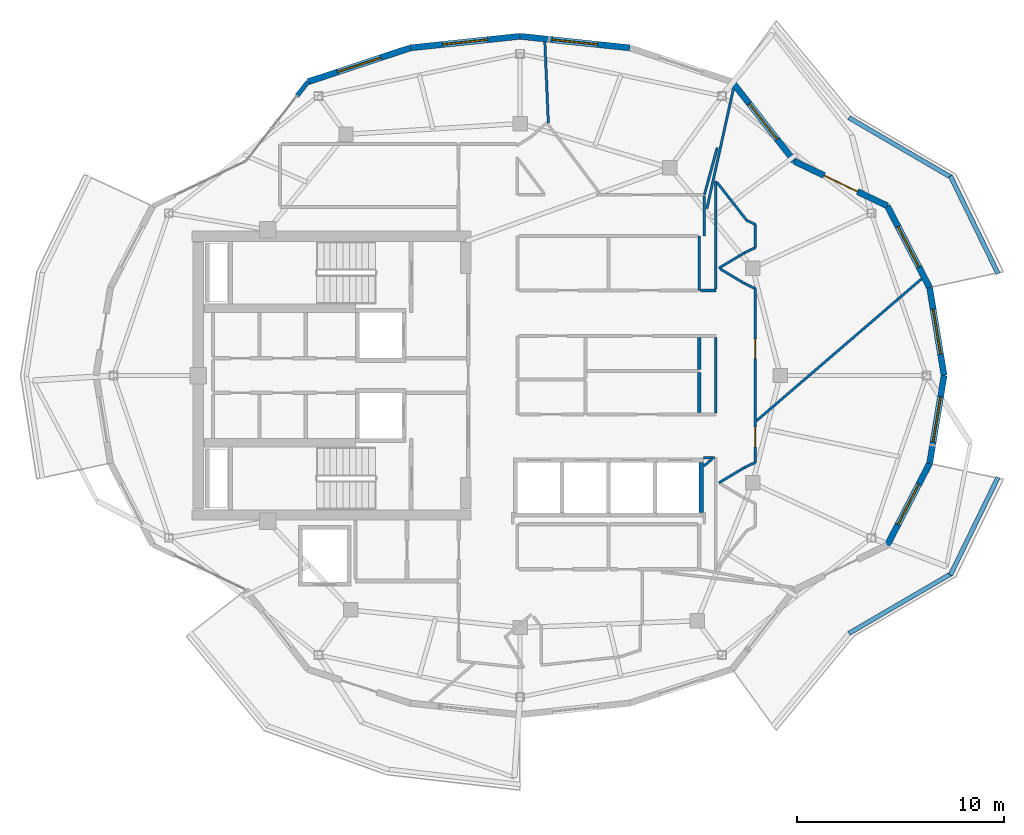
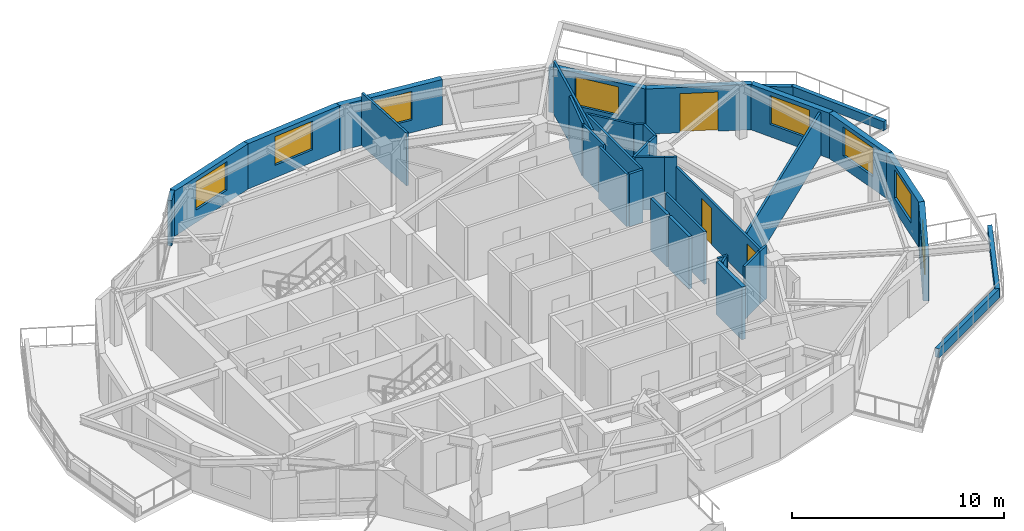
# One storey, part 11 of 14: 38 walls, 8 windows, 3 doors, 11 openings.
"""IFC4 building model written with IfcOpenShell, lengths in metres."""

from ifc_helpers import new_model, si_unit, direction, frame, frame_2d, origin, place, context, subcontext, project, spatial, rectangle, extrude, material, layer, layer_set, type_object, element, fill, save


model = new_model("IFC4")

# Units and contexts
model_context = context("Model", 3, precision=1e-05, world=origin(), true_north=direction((0.0, 1.0)))
body_context = subcontext(model_context, "Body", "Model", "MODEL_VIEW")
ifc_project = project(units=[si_unit("LENGTHUNIT", "METRE"), si_unit("AREAUNIT", "SQUARE_METRE"), si_unit("VOLUMEUNIT", "CUBIC_METRE"), si_unit("PLANEANGLEUNIT", "RADIAN"), si_unit("MASSUNIT", "GRAM", prefix="KILO")], contexts=[model_context])

# Site, building, storey
site_placement = place(None, origin())
site = spatial("IfcSite", under=ifc_project, at=site_placement, CompositionType="ELEMENT")
building_placement = place(site_placement, origin())
building = spatial("IfcBuilding", under=site, at=building_placement, Name="Kolvaren Gate Tower and Convention Centre", CompositionType="ELEMENT")
storey_placement = place(building_placement, frame((0.0, 0.0, 259.10009765625)))
storey = spatial("IfcBuildingStorey", under=building, at=storey_placement, Name="L70", CompositionType="ELEMENT", Elevation=259.10009765625)

# Walls
ifc_material_1 = material(Name="Fire-Rated Acoustic Gypsum Stud Partition", Category="gypsum")
ifc_layer_1 = layer(ifc_material_1, 0.1201171875)
ifc_layer_set_1 = layer_set([ifc_layer_1], Name="Fire-Rated Acoustic Gypsum Stud Partition")
wall_type_1 = type_object("IfcWallType", Name="ARCH-WL-PART-120", PredefinedType="PARTITIONING", material=ifc_layer_set_1)
wall_1_placement = place(storey_placement, frame((38.800048828125, 31.1201171875, 0.0), z_axis=(0.0, 0.0, 1.0), x_axis=(0.0, 1.0, 0.0)))
element("IfcWall", 1, at=wall_1_placement, inside=storey, type_object=wall_type_1, Name="Interior Partition WL-L70-INT-027", PredefinedType="PARTITIONING", context=body_context, shape_type="SweptSolid", body=[
    extrude(rectangle(XDim=2.6298828125, YDim=0.1201171875, at=frame_2d((1.31494140625, 0.0))), origin(), (0.0, 0.0, 1.0), 3.02978515625),
])
wall_2_placement = place(storey_placement, frame((39.050048828125, 33.75, 0.0), z_axis=(0.0, 0.0, 1.0), x_axis=(0.0, 1.0, 0.0)))
element("IfcWall", 2, at=wall_2_placement, inside=storey, type_object=wall_type_1, Name="Interior Partition WL-L70-INT-043", PredefinedType="PARTITIONING", context=body_context, shape_type="SweptSolid", body=[
    extrude(rectangle(XDim=1.93798828125, YDim=0.1201171875, at=frame_2d((0.968994140625, 0.0))), origin(), (0.0, 0.0, 1.0), 3.02978515625),
])
wall_3_placement = place(storey_placement, frame((39.60009765625, 25.197021484375, 0.0), z_axis=(0.0, 0.0, 1.0), x_axis=(0.0, 1.0, 0.0)))
element("IfcWall", 3, at=wall_3_placement, inside=storey, type_object=wall_type_1, Name="Interior Partition WL-L70-INT-045", PredefinedType="PARTITIONING", context=body_context, shape_type="SweptSolid", body=[
    extrude(rectangle(XDim=3.64599609375, YDim=0.1201171875, at=frame_2d((1.822998046875, 0.0))), origin(), (0.0, 0.0, 1.0), 3.02978515625),
])
wall_4_placement = place(storey_placement, frame((39.60009765625, 31.197021484375, 0.0), z_axis=(0.0, 0.0, 1.0), x_axis=(0.0, 1.0, 0.0)))
element("IfcWall", 4, at=wall_4_placement, inside=storey, type_object=wall_type_1, Name="Interior Partition WL-L70-INT-046", PredefinedType="PARTITIONING", context=body_context, shape_type="SweptSolid", body=[
    extrude(rectangle(XDim=5.22998046875, YDim=0.1201171875, at=frame_2d((2.614990234375, 0.0))), origin(), (0.0, 0.0, 1.0), 3.02978515625),
])
wall_5_placement = place(storey_placement, frame((39.662109375, 36.347900390625, 0.0), z_axis=(0.0, 0.0, 1.0), x_axis=(0.616212345115, -0.78758005671, 0.0)))
element("IfcWall", 5, at=wall_5_placement, inside=storey, type_object=wall_type_1, Name="Interior Partition WL-L70-INT-047", PredefinedType="PARTITIONING", context=body_context, shape_type="SweptSolid", body=[
    extrude(rectangle(XDim=2.33349609375, YDim=0.1201171875, at=frame_2d((1.166748046875, 0.0))), origin(), (0.0, 0.0, 1.0), 3.02978515625),
])
wall_6_placement = place(storey_placement, frame((41.10009765625, 34.510009765625, 0.0), z_axis=(0.0, 0.0, 1.0), x_axis=(0.902054328377, -0.431622507125, 0.0)))
element("IfcWall", 6, at=wall_6_placement, inside=storey, type_object=wall_type_1, Name="Interior Partition WL-L70-INT-048", PredefinedType="PARTITIONING", context=body_context, shape_type="SweptSolid", body=[
    extrude(rectangle(XDim=0.465576171875, YDim=0.1201171875, at=frame_2d((0.23291015625, 0.0))), origin(), (0.0, 0.0, 1.0), 3.02978515625),
])

# Wall, openings, doors
wall_7_placement = place(storey_placement, frame((41.52001953125, 22.7939453125, 0.0), z_axis=(0.0, 0.0, 1.0), x_axis=(0.0, 1.0, 0.0)))
wall_7 = element("IfcWall", 7, at=wall_7_placement, inside=storey, type_object=wall_type_1, Name="Interior Partition WL-L70-INT-050", PredefinedType="PARTITIONING", context=body_context, shape_type="SweptSolid", body=[
    extrude(rectangle(XDim=8.412109375, YDim=0.1201171875, at=frame_2d((4.2060546875, 0.0))), origin(), (0.0, 0.0, 1.0), 2.477783203125),
])
opening_1_placement = place(wall_7_placement, frame((0.751708984375, 0.0, 0.0)))
opening_1 = element("IfcOpeningElement", 8, at=opening_1_placement, cuts=wall_7, Name="Opening DR-01", PredefinedType="OPENING", context=body_context, shape_type="SweptSolid", body=[
    extrude(rectangle(XDim=0.949951171875, YDim=2.10009765625, at=frame_2d((0.47509765625, 1.050048828125))), frame((0.0, 0.070068359375, 0.0), z_axis=(0.0, -1.0, 0.0), x_axis=(1.0, 0.0, 0.0)), (0.0, 0.0, 1.0), 0.14013671875),
])
opening_2_placement = place(wall_7_placement, frame((5.03125, 0.0, 0.0)))
opening_2 = element("IfcOpeningElement", 9, at=opening_2_placement, cuts=wall_7, Name="Opening DR-01", PredefinedType="OPENING", context=body_context, shape_type="SweptSolid", body=[
    extrude(rectangle(XDim=0.949951171875, YDim=2.10009765625, at=frame_2d((0.47509765625, 1.050048828125))), frame((0.0, 0.070068359375, 0.0), z_axis=(0.0, -1.0, 0.0), x_axis=(1.0, 0.0, 0.0)), (0.0, 0.0, 1.0), 0.14013671875),
])
ifc_material_2 = material(Name="Painted Architectural Steelwork ASTM A500 Grade C 345 MPa", Category="steel")
door_type_1 = type_object("IfcDoorType", Name="ARCH-DR-RISER-950", OperationType="SINGLE_SWING_RIGHT", PredefinedType="DOOR", material=ifc_material_2)
door_1_placement = place(opening_1_placement, origin())
door_1 = element("IfcDoor", 10, at=door_1_placement, inside=storey, type_object=door_type_1, Name="Resident Quiet Study Office Door", OperationType="SINGLE_SWING_LEFT", OverallHeight=2.10009765625, OverallWidth=0.949951171875, PredefinedType="DOOR", context=body_context, shape_type="SweptSolid", body=[
    extrude(rectangle(XDim=0.949951171875, YDim=2.10009765625, at=frame_2d((0.47509765625, 1.050048828125))), frame((0.0, 0.02490234375, 0.0), z_axis=(0.0, -1.0, 0.0), x_axis=(1.0, 0.0, 0.0)), (0.0, 0.0, 1.0), 0.050048828125),
])
fill(opening_1, door_1)
door_2_placement = place(opening_2_placement, origin())
door_2 = element("IfcDoor", 11, at=door_2_placement, inside=storey, type_object=door_type_1, Name="Resident Private Study Door", OperationType="SINGLE_SWING_RIGHT", OverallHeight=2.10009765625, OverallWidth=0.949951171875, PredefinedType="DOOR", context=body_context, shape_type="SweptSolid", body=[
    extrude(rectangle(XDim=0.949951171875, YDim=2.10009765625, at=frame_2d((0.47509765625, 1.050048828125))), frame((0.0, 0.02490234375, 0.0), z_axis=(0.0, -1.0, 0.0), x_axis=(1.0, 0.0, 0.0)), (0.0, 0.0, 1.0), 0.050048828125),
])
fill(opening_2, door_2)

# Walls
wall_8_placement = place(storey_placement, frame((41.52001953125, 33.193115234375, 0.0), z_axis=(0.0, 0.0, 1.0), x_axis=(0.0, 1.0, 0.0)))
element("IfcWall", 12, at=wall_8_placement, inside=storey, type_object=wall_type_1, Name="Interior Partition WL-L70-INT-051", PredefinedType="PARTITIONING", context=body_context, shape_type="SweptSolid", body=[
    extrude(rectangle(XDim=1.115966796875, YDim=0.1201171875, at=frame_2d((0.55810546875, 0.0))), origin(), (0.0, 0.0, 1.0), 3.02978515625),
])
wall_9_placement = place(storey_placement, frame((40.986083984375, 32.93994140625, 0.0), z_axis=(0.0, 0.0, 1.0), x_axis=(0.90356951601, 0.428441512621, 0.0)))
element("IfcWall", 13, at=wall_9_placement, inside=storey, type_object=wall_type_1, Name="Interior Partition WL-L70-INT-052", PredefinedType="PARTITIONING", context=body_context, shape_type="SweptSolid", body=[
    extrude(rectangle(XDim=0.5908203125, YDim=0.1201171875, at=frame_2d((0.29541015625, 0.0))), origin(), (0.0, 0.0, 1.0), 3.02978515625),
])
wall_10_placement = place(storey_placement, frame((39.75, 32.198974609375, 0.0), z_axis=(0.0, 0.0, 1.0), x_axis=(0.857702120906, 0.514146935996, 0.0)))
element("IfcWall", 14, at=wall_10_placement, inside=storey, type_object=wall_type_1, Name="Interior Partition WL-L70-INT-053", PredefinedType="PARTITIONING", context=body_context, shape_type="SweptSolid", body=[
    extrude(rectangle(XDim=1.441162109375, YDim=0.1201171875, at=frame_2d((0.720703125, 0.0))), origin(), (0.0, 0.0, 1.0), 3.02978515625),
])
wall_11_placement = place(storey_placement, frame((39.810302734375, 32.162841796875, 0.0), z_axis=(0.0, 0.0, 1.0), x_axis=(0.858011245414, -0.513630901273, 0.0)))
element("IfcWall", 15, at=wall_11_placement, inside=storey, type_object=wall_type_1, Name="Interior Partition WL-L70-INT-054", PredefinedType="PARTITIONING", context=body_context, shape_type="SweptSolid", body=[
    extrude(rectangle(XDim=1.370361328125, YDim=0.1201171875, at=frame_2d((0.68505859375, 0.0))), origin(), (0.0, 0.0, 1.0), 3.02978515625),
])
for number, where, z_axis, x_axis, name in (
    (16, (40.986083984375, 31.458984375, 0.0), (0.0, 0.0, 1.0), (0.903729424576, -0.428104107847, 0.0), "Interior Partition WL-L70-INT-055"),
    (17, (40.986083984375, 22.541015625, 0.0), (0.0, 0.0, 1.0), (0.903729424576, 0.428104107847, 0.0), "Interior Partition WL-L70-INT-056"),
):
    element("IfcWall", number, at=place(storey_placement, frame(where, z_axis=z_axis, x_axis=x_axis)), inside=storey, type_object=wall_type_1, Name=name, PredefinedType="PARTITIONING", context=body_context, shape_type="SweptSolid", body=[
        extrude(rectangle(XDim=0.5908203125, YDim=0.1201171875, at=frame_2d((0.29541015625, 0.0))), origin(), (0.0, 0.0, 1.0), 3.02978515625),
    ])
wall_12_placement = place(storey_placement, frame((39.75, 21.800048828125, 0.0), z_axis=(0.0, 0.0, 1.0), x_axis=(0.857702120906, 0.514146935996, 0.0)))
element("IfcWall", 18, at=wall_12_placement, inside=storey, type_object=wall_type_1, Name="Interior Partition WL-L70-INT-057", PredefinedType="PARTITIONING", context=body_context, shape_type="SweptSolid", body=[
    extrude(rectangle(XDim=1.441162109375, YDim=0.1201171875, at=frame_2d((0.720703125, 0.0))), origin(), (0.0, 0.0, 1.0), 3.02978515625),
])
wall_13_placement = place(storey_placement, frame((39.0, 23.02001953125, 0.0), z_axis=(0.0, 0.0, 1.0), x_axis=(1.0, 0.0, 0.0)))
element("IfcWall", 19, at=wall_13_placement, inside=storey, type_object=wall_type_1, Name="Interior Partition WL-L70-INT-062", PredefinedType="PARTITIONING", context=body_context, shape_type="SweptSolid", body=[
    extrude(rectangle(XDim=0.5380859375, YDim=0.1201171875, at=frame_2d((0.26904296875, 0.0))), origin(), (0.0, 0.0, 1.0), 3.02978515625),
])
wall_14_placement = place(storey_placement, frame((39.019775390625, 22.611083984375, 0.0), z_axis=(0.0, 0.0, 1.0), x_axis=(0.75812166899, 0.652113130529, 0.0)))
element("IfcWall", 20, at=wall_14_placement, inside=storey, type_object=wall_type_1, Name="Interior Partition WL-L70-INT-075", PredefinedType="PARTITIONING", context=body_context, shape_type="SweptSolid", body=[
    extrude(rectangle(XDim=0.531982421875, YDim=0.1201171875, at=frame_2d((0.26611328125, 0.0))), origin(), (0.0, 0.0, 1.0), 3.02978515625),
])
wall_15_placement = place(storey_placement, frame((41.58203125, 24.814453125, 0.0), z_axis=(0.0, 0.0, 1.0), x_axis=(0.758204685581, 0.652016606202, 0.0)))
element("IfcWall", 21, at=wall_15_placement, inside=storey, type_object=wall_type_1, Name="Interior Partition WL-L70-INT-076", PredefinedType="PARTITIONING", context=body_context, shape_type="SweptSolid", body=[
    extrude(rectangle(XDim=10.52783203125, YDim=0.1201171875, at=frame_2d((5.263916015625, 0.0))), origin(), (0.0, 0.0, 1.0), 2.477783203125),
])
wall_16_placement = place(storey_placement, frame((39.172119140625, 35.08349609375, 0.0), z_axis=(0.0, 0.0, 1.0), x_axis=(0.216048361883, 0.976382663369, 0.0)))
element("IfcWall", 22, at=wall_16_placement, inside=storey, type_object=wall_type_1, Name="Interior Partition WL-L70-INT-079", PredefinedType="PARTITIONING", context=body_context, shape_type="SweptSolid", body=[
    extrude(rectangle(XDim=5.94970703125, YDim=0.1201171875, at=frame_2d((2.974853515625, 0.0))), origin(), (0.0, 0.0, 1.0), 3.02978515625),
])
wall_17_placement = place(storey_placement, frame((39.050048828125, 35.75, 0.0), z_axis=(0.0, 0.0, 1.0), x_axis=(0.262548848822, 0.964918702266, 0.0)))
element("IfcWall", 23, at=wall_17_placement, inside=storey, type_object=wall_type_1, Name="Interior Partition WL-L70-INT-080", PredefinedType="PARTITIONING", context=body_context, shape_type="SweptSolid", body=[
    extrude(rectangle(XDim=2.36181640625, YDim=0.1201171875, at=frame_2d((1.180908203125, 0.0))), origin(), (0.0, 0.0, 1.0), 3.02978515625),
])
wall_18_placement = place(storey_placement, frame((31.326171875, 43.145751953125, 0.0), z_axis=(0.0, 0.0, 1.0), x_axis=(0.042550336493, -0.999094324308, 0.0)))
element("IfcWall", 24, at=wall_18_placement, inside=storey, type_object=wall_type_1, Name="Interior Partition WL-L70-INT-081", PredefinedType="PARTITIONING", context=body_context, shape_type="SweptSolid", body=[
    extrude(rectangle(XDim=3.930419921875, YDim=0.1201171875, at=frame_2d((1.96533203125, 0.0))), origin(), (0.0, 0.0, 1.0), 3.02978515625),
])
ifc_material_3 = material(Name="Bogota Sabana Bush-Hammered Sandstone Cladding", Category="masonry")
ifc_layer_2 = layer(ifc_material_3, 0.219970703125)
ifc_layer_set_2 = layer_set([ifc_layer_2], Name="Bogota Sabana Bush-Hammered Sandstone Cladding")
wall_type_2 = type_object("IfcWallType", Name="ARCH-WL-PIER-220", PredefinedType="SOLIDWALL", material=ifc_layer_set_2)
wall_19_placement = place(storey_placement, frame((19.319091796875, 40.534423828125, 0.0), z_axis=(0.0, 0.0, 1.0), x_axis=(0.61640589237, 0.787428584604, 0.0)))
element("IfcWall", 25, at=wall_19_placement, inside=storey, type_object=wall_type_2, Name="Tower L70 Unitised Curtain Wall CW-RES-UNIT Bay 08 Right Column Pier Wrap", PredefinedType="SOLIDWALL", context=body_context, shape_type="SweptSolid", body=[
    extrude(rectangle(XDim=0.87646484375, YDim=0.219970703125, at=frame_2d((0.438232421875, 0.0))), origin(), (0.0, 0.0, 1.0), 2.60498046875),
])
ifc_material_4 = material(Name="Piedmont Cream Honed Limestone Cladding", Category="masonry")
ifc_layer_3 = layer(ifc_material_4, 0.219970703125)
ifc_layer_set_3 = layer_set([ifc_layer_3], Name="Piedmont Cream Honed Limestone Cladding")
wall_type_3 = type_object("IfcWallType", Name="ARCH-WL-PLANTER-220", PredefinedType="PARAPET", material=ifc_layer_set_3)
wall_20_placement = place(storey_placement, frame((50.96240234375, 36.658935546875, 0.0), z_axis=(0.0, 0.0, 1.0), x_axis=(0.438469339137, -0.898746148051, 0.0)))
element("IfcWall", 26, at=wall_20_placement, inside=storey, type_object=wall_type_3, Name="Vertical-Forest Balcony Stone Planter Kerb PK-L70-1.1", PredefinedType="PARAPET", context=body_context, shape_type="SweptSolid", body=[
    extrude(rectangle(XDim=5.26171875, YDim=0.219970703125, at=frame_2d((2.630859375, 0.0))), origin(), (0.0, 0.0, 1.0), 0.52001953125),
])
for number, where, z_axis, x_axis, name in (
    (27, (46.0478515625, 39.484619140625, 0.0), (0.0, 0.0, 1.0), (0.863803671285, -0.503828559606, 0.0), "Vertical-Forest Balcony Stone Planter Kerb PK-L70-1.2"),
    (28, (46.0478515625, 14.515380859375, 0.0), (0.0, 0.0, 1.0), (0.863803671285, 0.503828559606, 0.0), "Vertical-Forest Balcony Stone Planter Kerb PK-L70-4.2"),
):
    element("IfcWall", number, at=place(storey_placement, frame(where, z_axis=z_axis, x_axis=x_axis)), inside=storey, type_object=wall_type_3, Name=name, PredefinedType="PARAPET", context=body_context, shape_type="SweptSolid", body=[
        extrude(rectangle(XDim=5.719482421875, YDim=0.219970703125, at=frame_2d((2.85986328125, 0.0))), origin(), (0.0, 0.0, 1.0), 0.52001953125),
    ])
wall_21_placement = place(storey_placement, frame((50.96240234375, 17.341064453125, 0.0), z_axis=(0.0, 0.0, 1.0), x_axis=(0.438469339137, 0.898746148051, 0.0)))
element("IfcWall", 29, at=wall_21_placement, inside=storey, type_object=wall_type_3, Name="Vertical-Forest Balcony Stone Planter Kerb PK-L70-4.3", PredefinedType="PARAPET", context=body_context, shape_type="SweptSolid", body=[
    extrude(rectangle(XDim=5.26171875, YDim=0.219970703125, at=frame_2d((2.630859375, 0.0))), origin(), (0.0, 0.0, 1.0), 0.52001953125),
])
ifc_material_5 = material(Name="Autoclaved Aerated Masonry Blockwork Class 4 (4.0 MPa)", Category="masonry")
ifc_layer_4 = layer(ifc_material_5, 0.199951171875)
ifc_layer_set_4 = layer_set([ifc_layer_4], Name="Autoclaved Aerated Masonry Blockwork Class 4 (4.0 MPa)")
wall_type_4 = type_object("IfcWallType", Name="ARCH-WL-SHAFT-200", PredefinedType="SOLIDWALL", material=ifc_layer_set_4)
wall_22_placement = place(storey_placement, frame((38.89990234375, 20.360107421875, 0.0), z_axis=(0.0, 0.0, 1.0), x_axis=(0.0, 1.0, 0.0)))
element("IfcWall", 30, at=wall_22_placement, inside=storey, type_object=wall_type_4, Name="Elevator PL-12 L70 Fire Shaft Wall E", PredefinedType="SOLIDWALL", context=body_context, shape_type="SweptSolid", body=[
    extrude(rectangle(XDim=2.429931640625, YDim=0.199951171875, at=frame_2d((1.21484375, 0.0))), origin(), (0.0, 0.0, 1.0), 3.02978515625),
])

# Wall, opening, window
ifc_layer_5 = layer(ifc_material_4, 0.300048828125)
ifc_layer_set_5 = layer_set([ifc_layer_5], Name="Piedmont Cream Honed Limestone Cladding")
wall_type_5 = type_object("IfcWallType", Name="ARCH-WL-STONE-300", PredefinedType="SOLIDWALL", material=ifc_layer_set_5)
wall_23_placement = place(storey_placement, frame((49.95654296875, 31.251220703125, 0.0), z_axis=(0.0, 0.0, 1.0), x_axis=(0.162404622434, -0.98672424649, 0.0)))
wall_23 = element("IfcWall", 31, at=wall_23_placement, inside=storey, type_object=wall_type_5, Name="Tower L70 Honed Stone Spandrel Wall EW-00", PredefinedType="SOLIDWALL", context=body_context, shape_type="SweptSolid", body=[
    extrude(rectangle(XDim=4.308349609375, YDim=0.300048828125, at=frame_2d((2.154296875, 0.0))), origin(), (0.0, 0.0, 1.0), 2.60498046875),
])
opening_3_placement = place(wall_23_placement, frame((1.053955078125, 0.0, 0.719970703125)))
opening_3 = element("IfcOpeningElement", 32, at=opening_3_placement, cuts=wall_23, Name="Opening W-03", PredefinedType="OPENING", context=body_context, shape_type="SweptSolid", body=[
    extrude(rectangle(XDim=2.199951171875, YDim=1.64990234375, at=frame_2d((1.10009765625, 0.824951171875))), frame((0.0, 0.159912109375, 0.0), z_axis=(0.0, -1.0, 0.0), x_axis=(1.0, 0.0, 0.0)), (0.0, 0.0, 1.0), 0.320068359375),
])
ifc_material_6 = material(Name="Low-E Triple Insulated Glazing Unit 44 mm", Category="glass")
window_type = type_object("IfcWindowType", Name="ARCH-WN-RES-2200", PartitioningType="SINGLE_PANEL", PredefinedType="WINDOW", material=ifc_material_6)
window_1_placement = place(opening_3_placement, origin())
window_1 = element("IfcWindow", 33, at=window_1_placement, inside=storey, type_object=window_type, Name="Tower L70 Punched Stone Facade Window W-00", OverallHeight=1.64990234375, OverallWidth=2.199951171875, PartitioningType="SINGLE_PANEL", PredefinedType="WINDOW", context=body_context, shape_type="SweptSolid", body=[
    extrude(rectangle(XDim=2.199951171875, YDim=1.64990234375, at=frame_2d((1.10009765625, 0.824951171875))), frame((0.0, 0.030029296875, 0.0), z_axis=(0.0, -1.0, 0.0), x_axis=(1.0, 0.0, 0.0)), (0.0, 0.0, 1.0), 0.06005859375),
])
fill(opening_3, window_1)

wall_24_placement = place(storey_placement, frame((47.905517578125, 35.21240234375, 0.0), z_axis=(0.0, 0.0, 1.0), x_axis=(0.459801070243, -0.888021945564, 0.0)))
wall_24 = element("IfcWall", 34, at=wall_24_placement, inside=storey, type_object=wall_type_5, Name="Tower L70 Honed Stone Spandrel Wall EW-01", PredefinedType="SOLIDWALL", context=body_context, shape_type="SweptSolid", body=[
    extrude(rectangle(XDim=4.460693359375, YDim=0.300048828125, at=frame_2d((2.23046875, 0.0))), origin(), (0.0, 0.0, 1.0), 2.60498046875),
])
opening_4_placement = place(wall_24_placement, frame((1.1298828125, 0.0, 0.719970703125)))
opening_4 = element("IfcOpeningElement", 35, at=opening_4_placement, cuts=wall_24, Name="Opening W-03", PredefinedType="OPENING", context=body_context, shape_type="SweptSolid", body=[
    extrude(rectangle(XDim=2.199951171875, YDim=1.64990234375, at=frame_2d((1.10009765625, 0.824951171875))), frame((0.0, 0.159912109375, 0.0), z_axis=(0.0, -1.0, 0.0), x_axis=(1.0, 0.0, 0.0)), (0.0, 0.0, 1.0), 0.320068359375),
])
window_2_placement = place(opening_4_placement, origin())
window_2 = element("IfcWindow", 36, at=window_2_placement, inside=storey, type_object=window_type, Name="Tower L70 Punched Stone Facade Window W-01", OverallHeight=1.64990234375, OverallWidth=2.199951171875, PartitioningType="SINGLE_PANEL", PredefinedType="WINDOW", context=body_context, shape_type="SweptSolid", body=[
    extrude(rectangle(XDim=2.199951171875, YDim=1.64990234375, at=frame_2d((1.10009765625, 0.824951171875))), frame((0.0, 0.030029296875, 0.0), z_axis=(0.0, -1.0, 0.0), x_axis=(1.0, 0.0, 0.0)), (0.0, 0.0, 1.0), 0.06005859375),
])
fill(opening_4, window_2)

# Wall, opening, door
wall_25_placement = place(storey_placement, frame((43.40380859375, 37.37548828125, 0.0), z_axis=(0.0, 0.0, 1.0), x_axis=(0.901346013132, -0.433099716706, 0.0)))
wall_25 = element("IfcWall", 37, at=wall_25_placement, inside=storey, type_object=wall_type_5, Name="Tower L70 Honed Stone Spandrel Wall EW-02", PredefinedType="SOLIDWALL", context=body_context, shape_type="SweptSolid", body=[
    extrude(rectangle(XDim=4.994384765625, YDim=0.300048828125, at=frame_2d((2.4970703125, 0.0))), origin(), (0.0, 0.0, 1.0), 2.60498046875),
])
opening_5_placement = place(wall_25_placement, frame((1.596923828125, 0.0, 0.0)))
opening_5 = element("IfcOpeningElement", 38, at=opening_5_placement, cuts=wall_25, Name="Opening DB-01", PredefinedType="OPENING", context=body_context, shape_type="SweptSolid", body=[
    extrude(rectangle(XDim=1.800048828125, YDim=2.25, at=frame_2d((0.89990234375, 1.125))), frame((0.0, 0.159912109375, 0.0), z_axis=(0.0, -1.0, 0.0), x_axis=(1.0, 0.0, 0.0)), (0.0, 0.0, 1.0), 0.320068359375),
])
ifc_material_7 = material(Name="Anodized Architectural Aluminium Alloy 6063-T6", Category="aluminium")
door_type_2 = type_object("IfcDoorType", Name="ARCH-DR-BALC-1800", OperationType="SLIDING_TO_LEFT", PredefinedType="DOOR", material=ifc_material_7)
door_3_placement = place(opening_5_placement, origin())
door_3 = element("IfcDoor", 39, at=door_3_placement, inside=storey, type_object=door_type_2, Name="Planted Sky Terrace Access Door DB-L70-02", OperationType="SLIDING_TO_LEFT", OverallHeight=2.25, OverallWidth=1.800048828125, PredefinedType="DOOR", context=body_context, shape_type="SweptSolid", body=[
    extrude(rectangle(XDim=1.800048828125, YDim=2.25, at=frame_2d((0.89990234375, 1.125))), frame((0.0, 0.02490234375, 0.0), z_axis=(0.0, -1.0, 0.0), x_axis=(1.0, 0.0, 0.0)), (0.0, 0.0, 1.0), 0.050048828125),
])
fill(opening_5, door_3)

# Wall, opening, window
wall_26_placement = place(storey_placement, frame((40.390625, 41.224609375, 0.0), z_axis=(0.0, 0.0, 1.0), x_axis=(0.616413297421, -0.78742278781, 0.0)))
wall_26 = element("IfcWall", 40, at=wall_26_placement, inside=storey, type_object=wall_type_5, Name="Tower L70 Honed Stone Spandrel Wall EW-03", PredefinedType="SOLIDWALL", context=body_context, shape_type="SweptSolid", body=[
    extrude(rectangle(XDim=4.88818359375, YDim=0.300048828125, at=frame_2d((2.444091796875, 0.0))), origin(), (0.0, 0.0, 1.0), 2.60498046875),
])
opening_6_placement = place(wall_26_placement, frame((1.343994140625, 0.0, 0.719970703125)))
opening_6 = element("IfcOpeningElement", 41, at=opening_6_placement, cuts=wall_26, Name="Opening W-03", PredefinedType="OPENING", context=body_context, shape_type="SweptSolid", body=[
    extrude(rectangle(XDim=2.199951171875, YDim=1.64990234375, at=frame_2d((1.10009765625, 0.824951171875))), frame((0.0, 0.159912109375, 0.0), z_axis=(0.0, -1.0, 0.0), x_axis=(1.0, 0.0, 0.0)), (0.0, 0.0, 1.0), 0.320068359375),
])
window_3_placement = place(opening_6_placement, origin())
window_3 = element("IfcWindow", 42, at=window_3_placement, inside=storey, type_object=window_type, Name="Tower L70 Punched Stone Facade Window W-03", OverallHeight=1.64990234375, OverallWidth=2.199951171875, PartitioningType="SINGLE_PANEL", PredefinedType="WINDOW", context=body_context, shape_type="SweptSolid", body=[
    extrude(rectangle(XDim=2.199951171875, YDim=1.64990234375, at=frame_2d((1.10009765625, 0.824951171875))), frame((0.0, 0.030029296875, 0.0), z_axis=(0.0, -1.0, 0.0), x_axis=(1.0, 0.0, 0.0)), (0.0, 0.0, 1.0), 0.06005859375),
])
fill(opening_6, window_3)

wall_27_placement = place(storey_placement, frame((30.125, 43.425048828125, 0.0), z_axis=(0.0, 0.0, 1.0), x_axis=(0.9944966869, -0.104768028258, 0.0)))
wall_27 = element("IfcWall", 43, at=wall_27_placement, inside=storey, type_object=wall_type_5, Name="Tower L70 Honed Stone Spandrel Wall EW-05", PredefinedType="SOLIDWALL", context=body_context, shape_type="SweptSolid", body=[
    extrude(rectangle(XDim=5.34326171875, YDim=0.300048828125, at=frame_2d((2.671630859375, 0.0))), origin(), (0.0, 0.0, 1.0), 2.60498046875),
])
opening_7_placement = place(wall_27_placement, frame((1.572021484375, 0.0, 0.719970703125)))
opening_7 = element("IfcOpeningElement", 44, at=opening_7_placement, cuts=wall_27, Name="Opening W-03", PredefinedType="OPENING", context=body_context, shape_type="SweptSolid", body=[
    extrude(rectangle(XDim=2.199951171875, YDim=1.64990234375, at=frame_2d((1.10009765625, 0.824951171875))), frame((0.0, 0.159912109375, 0.0), z_axis=(0.0, -1.0, 0.0), x_axis=(1.0, 0.0, 0.0)), (0.0, 0.0, 1.0), 0.320068359375),
])
window_4_placement = place(opening_7_placement, origin())
window_4 = element("IfcWindow", 45, at=window_4_placement, inside=storey, type_object=window_type, Name="Tower L70 Punched Stone Facade Window W-05", OverallHeight=1.64990234375, OverallWidth=2.199951171875, PartitioningType="SINGLE_PANEL", PredefinedType="WINDOW", context=body_context, shape_type="SweptSolid", body=[
    extrude(rectangle(XDim=2.199951171875, YDim=1.64990234375, at=frame_2d((1.10009765625, 0.824951171875))), frame((0.0, 0.030029296875, 0.0), z_axis=(0.0, -1.0, 0.0), x_axis=(1.0, 0.0, 0.0)), (0.0, 0.0, 1.0), 0.06005859375),
])
fill(opening_7, window_4)

wall_28_placement = place(storey_placement, frame((24.81103515625, 42.865234375, 0.0), z_axis=(0.0, 0.0, 1.0), x_axis=(0.9944966869, 0.104768028258, 0.0)))
wall_28 = element("IfcWall", 46, at=wall_28_placement, inside=storey, type_object=wall_type_5, Name="Tower L70 Honed Stone Spandrel Wall EW-06", PredefinedType="SOLIDWALL", context=body_context, shape_type="SweptSolid", body=[
    extrude(rectangle(XDim=5.34326171875, YDim=0.300048828125, at=frame_2d((2.671630859375, 0.0))), origin(), (0.0, 0.0, 1.0), 2.60498046875),
])
opening_8_placement = place(wall_28_placement, frame((1.572021484375, 0.0, 0.719970703125)))
opening_8 = element("IfcOpeningElement", 47, at=opening_8_placement, cuts=wall_28, Name="Opening W-03", PredefinedType="OPENING", context=body_context, shape_type="SweptSolid", body=[
    extrude(rectangle(XDim=2.199951171875, YDim=1.64990234375, at=frame_2d((1.10009765625, 0.824951171875))), frame((0.0, 0.159912109375, 0.0), z_axis=(0.0, -1.0, 0.0), x_axis=(1.0, 0.0, 0.0)), (0.0, 0.0, 1.0), 0.320068359375),
])
window_5_placement = place(opening_8_placement, origin())
window_5 = element("IfcWindow", 48, at=window_5_placement, inside=storey, type_object=window_type, Name="Tower L70 Punched Stone Facade Window W-06", OverallHeight=1.64990234375, OverallWidth=2.199951171875, PartitioningType="SINGLE_PANEL", PredefinedType="WINDOW", context=body_context, shape_type="SweptSolid", body=[
    extrude(rectangle(XDim=2.199951171875, YDim=1.64990234375, at=frame_2d((1.10009765625, 0.824951171875))), frame((0.0, 0.030029296875, 0.0), z_axis=(0.0, -1.0, 0.0), x_axis=(1.0, 0.0, 0.0)), (0.0, 0.0, 1.0), 0.06005859375),
])
fill(opening_8, window_5)

wall_29_placement = place(storey_placement, frame((19.859375, 41.224609375, 0.0), z_axis=(0.0, 0.0, 1.0), x_axis=(0.949252744709, 0.314514271001, 0.0)))
wall_29 = element("IfcWall", 49, at=wall_29_placement, inside=storey, type_object=wall_type_5, Name="Tower L70 Honed Stone Spandrel Wall EW-07", PredefinedType="SOLIDWALL", context=body_context, shape_type="SweptSolid", body=[
    extrude(rectangle(XDim=5.21630859375, YDim=0.300048828125, at=frame_2d((2.608154296875, 0.0))), origin(), (0.0, 0.0, 1.0), 2.60498046875),
])
opening_9_placement = place(wall_29_placement, frame((1.508056640625, 0.0, 0.719970703125)))
opening_9 = element("IfcOpeningElement", 50, at=opening_9_placement, cuts=wall_29, Name="Opening W-03", PredefinedType="OPENING", context=body_context, shape_type="SweptSolid", body=[
    extrude(rectangle(XDim=2.199951171875, YDim=1.64990234375, at=frame_2d((1.10009765625, 0.824951171875))), frame((0.0, 0.159912109375, 0.0), z_axis=(0.0, -1.0, 0.0), x_axis=(1.0, 0.0, 0.0)), (0.0, 0.0, 1.0), 0.320068359375),
])
window_6_placement = place(opening_9_placement, origin())
window_6 = element("IfcWindow", 51, at=window_6_placement, inside=storey, type_object=window_type, Name="Tower L70 Punched Stone Facade Window W-07", OverallHeight=1.64990234375, OverallWidth=2.199951171875, PartitioningType="SINGLE_PANEL", PredefinedType="WINDOW", context=body_context, shape_type="SweptSolid", body=[
    extrude(rectangle(XDim=2.199951171875, YDim=1.64990234375, at=frame_2d((1.10009765625, 0.824951171875))), frame((0.0, 0.030029296875, 0.0), z_axis=(0.0, -1.0, 0.0), x_axis=(1.0, 0.0, 0.0)), (0.0, 0.0, 1.0), 0.06005859375),
])
fill(opening_9, window_6)

wall_30_placement = place(storey_placement, frame((47.905517578125, 18.78759765625, 0.0), z_axis=(0.0, 0.0, 1.0), x_axis=(0.459801070243, 0.888021945564, 0.0)))
wall_30 = element("IfcWall", 52, at=wall_30_placement, inside=storey, type_object=wall_type_5, Name="Tower L70 Honed Stone Spandrel Wall EW-22", PredefinedType="SOLIDWALL", context=body_context, shape_type="SweptSolid", body=[
    extrude(rectangle(XDim=4.460693359375, YDim=0.300048828125, at=frame_2d((2.23046875, 0.0))), origin(), (0.0, 0.0, 1.0), 2.60498046875),
])
opening_10_placement = place(wall_30_placement, frame((1.1298828125, 0.0, 0.719970703125)))
opening_10 = element("IfcOpeningElement", 53, at=opening_10_placement, cuts=wall_30, Name="Opening W-03", PredefinedType="OPENING", context=body_context, shape_type="SweptSolid", body=[
    extrude(rectangle(XDim=2.199951171875, YDim=1.64990234375, at=frame_2d((1.10009765625, 0.824951171875))), frame((0.0, 0.159912109375, 0.0), z_axis=(0.0, -1.0, 0.0), x_axis=(1.0, 0.0, 0.0)), (0.0, 0.0, 1.0), 0.320068359375),
])
window_7_placement = place(opening_10_placement, origin())
window_7 = element("IfcWindow", 54, at=window_7_placement, inside=storey, type_object=window_type, Name="Tower L70 Punched Stone Facade Window W-22", OverallHeight=1.64990234375, OverallWidth=2.199951171875, PartitioningType="SINGLE_PANEL", PredefinedType="WINDOW", context=body_context, shape_type="SweptSolid", body=[
    extrude(rectangle(XDim=2.199951171875, YDim=1.64990234375, at=frame_2d((1.10009765625, 0.824951171875))), frame((0.0, 0.030029296875, 0.0), z_axis=(0.0, -1.0, 0.0), x_axis=(1.0, 0.0, 0.0)), (0.0, 0.0, 1.0), 0.06005859375),
])
fill(opening_10, window_7)

wall_31_placement = place(storey_placement, frame((49.95654296875, 22.748779296875, 0.0), z_axis=(0.0, 0.0, 1.0), x_axis=(0.162404622434, 0.98672424649, 0.0)))
wall_31 = element("IfcWall", 55, at=wall_31_placement, inside=storey, type_object=wall_type_5, Name="Tower L70 Honed Stone Spandrel Wall EW-23", PredefinedType="SOLIDWALL", context=body_context, shape_type="SweptSolid", body=[
    extrude(rectangle(XDim=4.308349609375, YDim=0.300048828125, at=frame_2d((2.154296875, 0.0))), origin(), (0.0, 0.0, 1.0), 2.60498046875),
])
opening_11_placement = place(wall_31_placement, frame((1.053955078125, 0.0, 0.719970703125)))
opening_11 = element("IfcOpeningElement", 56, at=opening_11_placement, cuts=wall_31, Name="Opening W-03", PredefinedType="OPENING", context=body_context, shape_type="SweptSolid", body=[
    extrude(rectangle(XDim=2.199951171875, YDim=1.64990234375, at=frame_2d((1.10009765625, 0.824951171875))), frame((0.0, 0.159912109375, 0.0), z_axis=(0.0, -1.0, 0.0), x_axis=(1.0, 0.0, 0.0)), (0.0, 0.0, 1.0), 0.320068359375),
])
window_8_placement = place(opening_11_placement, origin())
window_8 = element("IfcWindow", 57, at=window_8_placement, inside=storey, type_object=window_type, Name="Tower L70 Punched Stone Facade Window W-23", OverallHeight=1.64990234375, OverallWidth=2.199951171875, PartitioningType="SINGLE_PANEL", PredefinedType="WINDOW", context=body_context, shape_type="SweptSolid", body=[
    extrude(rectangle(XDim=2.199951171875, YDim=1.64990234375, at=frame_2d((1.10009765625, 0.824951171875))), frame((0.0, 0.030029296875, 0.0), z_axis=(0.0, -1.0, 0.0), x_axis=(1.0, 0.0, 0.0)), (0.0, 0.0, 1.0), 0.06005859375),
])
fill(opening_11, window_8)

# Walls
ifc_material_8 = material(Name="Moisture-Resistant Cement-Board Acoustic Partition", Category="gypsum")
ifc_layer_6 = layer(ifc_material_8, 0.14990234375)
ifc_layer_set_6 = layer_set([ifc_layer_6], Name="Moisture-Resistant Cement-Board Acoustic Partition")
wall_type_6 = type_object("IfcWallType", Name="ARCH-WL-WET-150", PredefinedType="PARTITIONING", material=ifc_layer_set_6)
wall_32_placement = place(storey_placement, frame((38.800048828125, 25.197021484375, 0.0), z_axis=(0.0, 0.0, 1.0), x_axis=(0.0, 1.0, 0.0)))
element("IfcWall", 58, at=wall_32_placement, inside=storey, type_object=wall_type_6, Name="Interior Partition WL-L70-INT-026", PredefinedType="PARTITIONING", context=body_context, shape_type="SweptSolid", body=[
    extrude(rectangle(XDim=1.946044921875, YDim=0.14990234375, at=frame_2d((0.97314453125, 0.0))), origin(), (0.0, 0.0, 1.0), 3.02978515625),
])
wall_33_placement = place(storey_placement, frame((38.800048828125, 27.297119140625, 0.0), z_axis=(0.0, 0.0, 1.0), x_axis=(0.0, 1.0, 0.0)))
element("IfcWall", 59, at=wall_33_placement, inside=storey, type_object=wall_type_6, Name="Interior Partition WL-L70-INT-026 (2)", PredefinedType="PARTITIONING", context=body_context, shape_type="SweptSolid", body=[
    extrude(rectangle(XDim=1.5458984375, YDim=0.14990234375, at=frame_2d((0.77294921875, 0.0))), origin(), (0.0, 0.0, 1.0), 3.02978515625),
])
wall_34_placement = place(storey_placement, frame((38.862060546875, 31.1201171875, 0.0), z_axis=(0.0, 0.0, 1.0), x_axis=(1.0, 0.0, 0.0)))
element("IfcWall", 60, at=wall_34_placement, inside=storey, type_object=wall_type_6, Name="Interior Partition WL-L70-INT-028 (2)", PredefinedType="PARTITIONING", context=body_context, shape_type="SweptSolid", body=[
    extrude(rectangle(XDim=0.738037109375, YDim=0.14990234375, at=frame_2d((0.369140625, 0.0))), origin(), (0.0, 0.0, 1.0), 3.02978515625),
])

save(model, "model.ifc")
